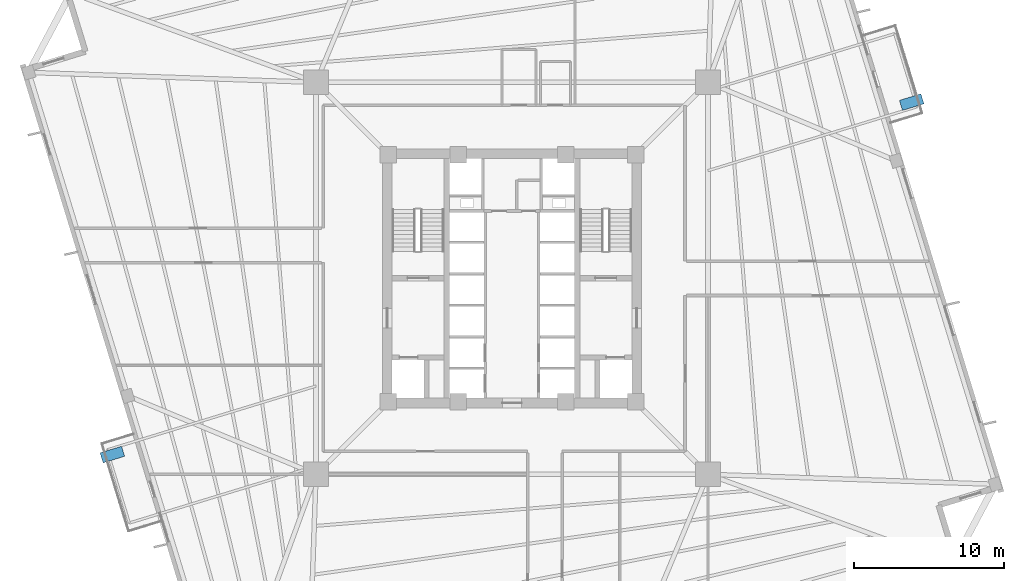
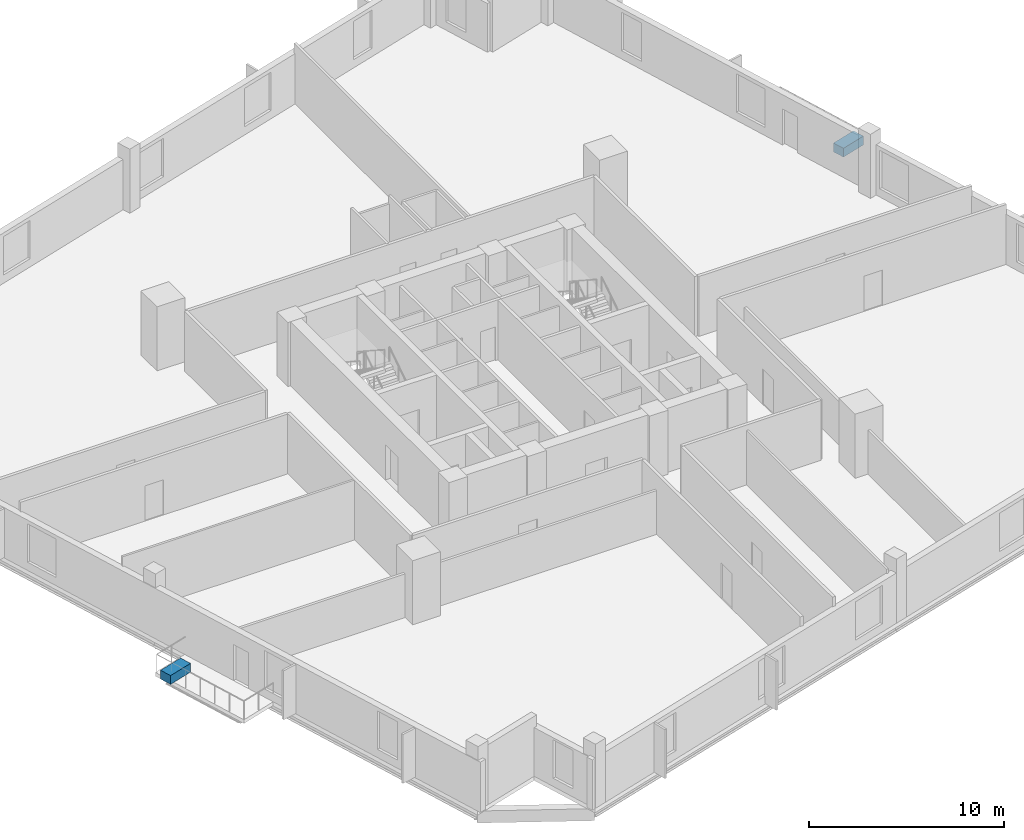
# One storey, part 6 of 9: 2 discrete accessories.
"""IFC4 building model written with IfcOpenShell, lengths in metres."""

from ifc_helpers import new_model, si_unit, direction, frame, origin, origin_2d, place, context, subcontext, project, spatial, rectangle, extrude, source, transform, mapped, material, type_object, element, save


model = new_model("IFC4")

# Units and contexts
model_context = context("Model", 3, precision=1e-05, world=origin(), true_north=direction((0.0, 1.0)))
body_context = subcontext(model_context, "Body", "Model", "MODEL_VIEW")
ifc_project = project(units=[si_unit("LENGTHUNIT", "METRE"), si_unit("AREAUNIT", "SQUARE_METRE"), si_unit("VOLUMEUNIT", "CUBIC_METRE"), si_unit("PLANEANGLEUNIT", "RADIAN"), si_unit("MASSUNIT", "GRAM", prefix="KILO"), si_unit("THERMODYNAMICTEMPERATUREUNIT", "KELVIN")], contexts=[model_context])

# Site, building, storey
site_placement = place(None, origin())
site = spatial("IfcSite", under=ifc_project, at=site_placement, CompositionType="ELEMENT")
building_placement = place(site_placement, origin())
building = spatial("IfcBuilding", under=site, at=building_placement, Name="Kosmvard Interchange Tower", CompositionType="ELEMENT")
storey_placement = place(building_placement, frame((0.0, 0.0, 131.199951171875)))
storey = spatial("IfcBuildingStorey", under=building, at=storey_placement, Name="L31", CompositionType="ELEMENT", Elevation=131.199951171875)

# Discrete accessories
ifc_material = material(Name="Terracotta precast planter concrete C45/55", Category="masonry")
discrete_accessory_type = type_object("IfcDiscreteAccessoryType", Name="Precast Tree-Balcony & Terrace Planter Box", PredefinedType="USERDEFINED", material=ifc_material)
shared_shape = source(origin(), body_context, "Body", "SweptSolid", [
    extrude(rectangle(XDim=1.5, YDim=0.699951171875, at=origin_2d()), origin(), (0.0, 0.0, 1.0), 0.550048828125),
])
for number, where, z_axis, x_axis, name in (
    (1, (26.67626953125, 11.763427734375, 0.0), (0.0, 0.0, 1.0), (0.956304755963, 0.292371704723, 0.0), "L31 Balcony Tree Planter BAL-L31-E"),
    (2, (-26.67626953125, -11.763427734375, 0.0), (0.0, 0.0, 1.0), (0.956304755963, 0.292371704723, 0.0), "L31 Balcony Tree Planter BAL-L31-W"),
):
    element("IfcDiscreteAccessory", number, at=place(storey_placement, frame(where, z_axis=z_axis, x_axis=x_axis)), inside=storey, type_object=discrete_accessory_type, Name=name, ObjectType="PLANTER", PredefinedType="USERDEFINED", context=body_context, shape_type="MappedRepresentation", body=[
        mapped(shared_shape, transform((0.0, 0.0, 0.0), scale=1.0)),
    ])

save(model, "model.ifc")
